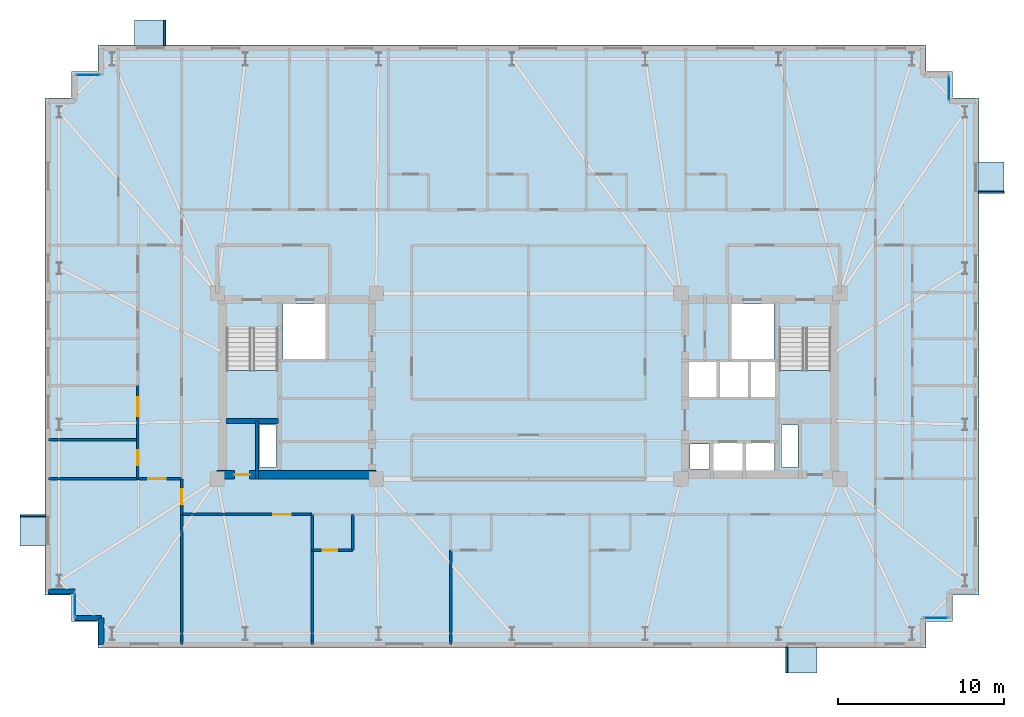
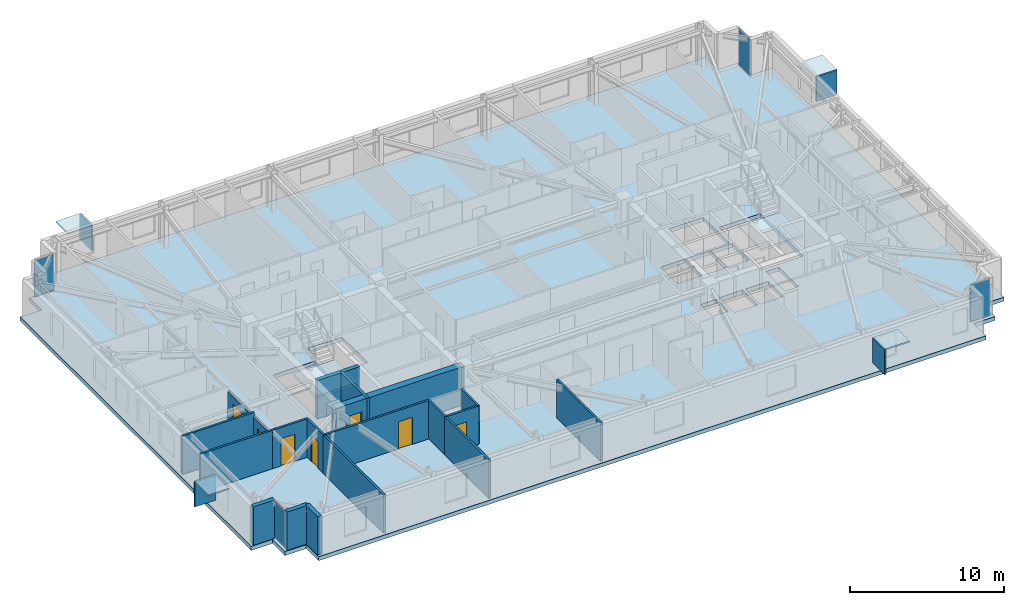
# One storey, part 10 of 18: 19 walls, 12 plates, 7 doors, 3 slabs, 7 openings, 6 elements without a shape of their own.
"""IFC4 building model written with IfcOpenShell, lengths in metres."""

from ifc_helpers import new_model, si_unit, direction, frame, frame_2d, origin, origin_2d, place, context, subcontext, project, spatial, polyline, rectangle, outline, extrude, material, layer, layer_set, type_object, element, fill, aggregate, save


model = new_model("IFC4")

# Units and contexts
model_context = context("Model", 3, precision=1e-05, world=origin(), true_north=direction((0.0, 1.0)))
body_context = subcontext(model_context, "Body", "Model", "MODEL_VIEW")
ifc_project = project(units=[si_unit("LENGTHUNIT", "METRE"), si_unit("AREAUNIT", "SQUARE_METRE"), si_unit("VOLUMEUNIT", "CUBIC_METRE"), si_unit("PLANEANGLEUNIT", "RADIAN"), si_unit("MASSUNIT", "GRAM", prefix="KILO")], contexts=[model_context])

# Site, building, storey
site_placement = place(None, origin())
site = spatial("IfcSite", under=ifc_project, at=site_placement, CompositionType="ELEMENT")
building_placement = place(site_placement, origin())
building = spatial("IfcBuilding", under=site, at=building_placement, Name="Qobustan Lattice House", CompositionType="ELEMENT")
storey_placement = place(building_placement, frame((0.0, 0.0, 141.050048828125)))
storey = spatial("IfcBuildingStorey", under=building, at=storey_placement, Name="L39", CompositionType="ELEMENT", Elevation=141.050048828125)

# Curtain wall, plate
ifc_material_1 = material(Name="Anodised aluminium and low-E glazing", Category="aluminium")
ifc_layer_1 = layer(ifc_material_1, 0.219970703125)
ifc_layer_set_1 = layer_set([ifc_layer_1], Name="Anodised aluminium and low-E glazing")
curtain_wall_type = type_object("IfcCurtainWallType", Name="CW-FAC-02", PredefinedType="USERDEFINED", material=ifc_layer_set_1)
curtain_wall_1_placement = place(storey_placement, origin())
curtain_wall_1 = element("IfcCurtainWall", 1, at=curtain_wall_1_placement, inside=storey, type_object=curtain_wall_type, Name="L39 serrated corner faceted glazing 3", ObjectType="CURTAIN WALL", PredefinedType="USERDEFINED")
ifc_material_2 = material(Name="Clear low-E laminated glass", Category="glass")
ifc_layer_2 = layer(ifc_material_2, 0.031982421875)
ifc_layer_set_2 = layer_set([ifc_layer_2], Name="Clear low-E laminated glass")
plate_type_1 = type_object("IfcPlateType", Name="CWP-VISION-32", PredefinedType="CURTAIN_PANEL", material=ifc_layer_set_2)
plate_1_placement = place(storey_placement, frame((-27.39990234375, -13.199951171875, 0.06494140625), z_axis=(0.0, 0.0, 1.0), x_axis=(0.0, 1.0, 0.0)))
plate_1 = element("IfcPlate", 2, at=plate_1_placement, type_object=plate_type_1, Name="CW-F2 panel 1.1", PredefinedType="CURTAIN_PANEL", context=body_context, shape_type="SweptSolid", body=[
    extrude(rectangle(XDim=1.4599609375, YDim=0.031982421875, at=origin_2d()), origin(), (0.0, 0.0, 1.0), 2.909912109375),
])
aggregate(curtain_wall_1, [plate_1])

curtain_wall_2_placement = place(storey_placement, origin())
curtain_wall_2 = element("IfcCurtainWall", 3, at=curtain_wall_2_placement, inside=storey, type_object=curtain_wall_type, Name="L39 serrated corner faceted glazing 8", ObjectType="CURTAIN WALL", PredefinedType="USERDEFINED")
plate_2_placement = place(storey_placement, frame((-26.60009765625, 18.800048828125, 0.06494140625), z_axis=(0.0, 0.0, 1.0), x_axis=(1.0, 0.0, 0.0)))
plate_2 = element("IfcPlate", 4, at=plate_2_placement, type_object=plate_type_1, Name="CW-F2 panel 1.1", PredefinedType="CURTAIN_PANEL", context=body_context, shape_type="SweptSolid", body=[
    extrude(rectangle(XDim=1.4599609375, YDim=0.031982421875, at=origin_2d()), origin(), (0.0, 0.0, 1.0), 2.909912109375),
])
aggregate(curtain_wall_2, [plate_2])

curtain_wall_3_placement = place(storey_placement, origin())
curtain_wall_3 = element("IfcCurtainWall", 5, at=curtain_wall_3_placement, inside=storey, type_object=curtain_wall_type, Name="L39 serrated corner faceted glazing 13", ObjectType="CURTAIN WALL", PredefinedType="USERDEFINED")
plate_3_placement = place(storey_placement, frame((25.39990234375, 18.0, 0.06494140625), z_axis=(0.0, 0.0, 1.0), x_axis=(0.0, -1.0, 0.0)))
plate_3 = element("IfcPlate", 6, at=plate_3_placement, type_object=plate_type_1, Name="CW-F2 panel 1.1", PredefinedType="CURTAIN_PANEL", context=body_context, shape_type="SweptSolid", body=[
    extrude(rectangle(XDim=1.4599609375, YDim=0.031982421875, at=origin_2d()), origin(), (0.0, 0.0, 1.0), 2.909912109375),
])
aggregate(curtain_wall_3, [plate_3])

curtain_wall_4_placement = place(storey_placement, origin())
curtain_wall_4 = element("IfcCurtainWall", 7, at=curtain_wall_4_placement, inside=storey, type_object=curtain_wall_type, Name="L39 serrated corner faceted glazing 18", ObjectType="CURTAIN WALL", PredefinedType="USERDEFINED")
plate_4_placement = place(storey_placement, frame((24.60009765625, -14.0, 0.06494140625), z_axis=(0.0, 0.0, 1.0), x_axis=(-1.0, 0.0, 0.0)))
plate_4 = element("IfcPlate", 8, at=plate_4_placement, type_object=plate_type_1, Name="CW-F2 panel 1.1", PredefinedType="CURTAIN_PANEL", context=body_context, shape_type="SweptSolid", body=[
    extrude(rectangle(XDim=1.4599609375, YDim=0.031982421875, at=origin_2d()), origin(), (0.0, 0.0, 1.0), 2.909912109375),
])
aggregate(curtain_wall_4, [plate_4])

# Plates
ifc_material_3 = material(Name="Qobustan limestone GFRC", Category="masonry")
ifc_layer_3 = layer(ifc_material_3, 0.1201171875)
ifc_layer_set_3 = layer_set([ifc_layer_3], Name="Qobustan limestone GFRC")
plate_type_2 = type_object("IfcPlateType", Name="SHD-HOOD-BROW", PredefinedType="USERDEFINED", material=ifc_layer_set_3)
plate_5_placement = place(storey_placement, frame((-29.929931640625, -8.719970703125, 2.699951171875), z_axis=(0.0, 0.0, 1.0), x_axis=(0.0, 1.0, 0.0)))
element("IfcPlate", 9, at=plate_5_placement, inside=storey, type_object=plate_type_2, Name="L39 splayed Qobustan stone hood brow", ObjectType="SUNSHADE", PredefinedType="USERDEFINED", context=body_context, shape_type="SweptSolid", body=[
    extrude(rectangle(XDim=1.889892578125, YDim=1.56005859375, at=origin_2d()), origin(), (0.0, 0.0, 1.0), 0.1201171875),
])
plate_6_placement = place(storey_placement, frame((-29.929931640625, -7.8349609375, 0.7900390625), z_axis=(0.0, 0.0, 1.0), x_axis=(0.0, 1.0, 0.0)))
element("IfcPlate", 10, at=plate_6_placement, inside=storey, type_object=plate_type_2, Name="L39 splayed Qobustan stone hood cheek", ObjectType="SUNSHADE", PredefinedType="USERDEFINED", context=body_context, shape_type="SweptSolid", body=[
    extrude(rectangle(XDim=0.1201171875, YDim=1.56005859375, at=origin_2d()), origin(), (0.0, 0.0, 1.0), 1.969970703125),
])
plate_7_placement = place(storey_placement, frame((-22.840087890625, 21.330078125, 2.699951171875), z_axis=(0.0, 0.0, 1.0), x_axis=(1.0, 0.0, 0.0)))
element("IfcPlate", 11, at=plate_7_placement, inside=storey, type_object=plate_type_2, Name="L39 splayed Qobustan stone hood brow", ObjectType="SUNSHADE", PredefinedType="USERDEFINED", context=body_context, shape_type="SweptSolid", body=[
    extrude(rectangle(XDim=1.889892578125, YDim=1.56005859375, at=origin_2d()), origin(), (0.0, 0.0, 1.0), 0.1201171875),
])
plate_8_placement = place(storey_placement, frame((-21.955078125, 21.330078125, 0.7900390625), z_axis=(0.0, 0.0, 1.0), x_axis=(1.0, 0.0, 0.0)))
element("IfcPlate", 12, at=plate_8_placement, inside=storey, type_object=plate_type_2, Name="L39 splayed Qobustan stone hood cheek", ObjectType="SUNSHADE", PredefinedType="USERDEFINED", context=body_context, shape_type="SweptSolid", body=[
    extrude(rectangle(XDim=0.1201171875, YDim=1.56005859375, at=origin_2d()), origin(), (0.0, 0.0, 1.0), 1.969970703125),
])
plate_9_placement = place(storey_placement, frame((27.929931640625, 12.60009765625, 2.699951171875), z_axis=(0.0, 0.0, 1.0), x_axis=(0.0, -1.0, 0.0)))
element("IfcPlate", 13, at=plate_9_placement, inside=storey, type_object=plate_type_2, Name="L39 splayed Qobustan stone hood brow", ObjectType="SUNSHADE", PredefinedType="USERDEFINED", context=body_context, shape_type="SweptSolid", body=[
    extrude(rectangle(XDim=1.889892578125, YDim=1.56005859375, at=origin_2d()), origin(), (0.0, 0.0, 1.0), 0.1201171875),
])
plate_10_placement = place(storey_placement, frame((27.929931640625, 11.715087890625, 0.7900390625), z_axis=(0.0, 0.0, 1.0), x_axis=(0.0, -1.0, 0.0)))
element("IfcPlate", 14, at=plate_10_placement, inside=storey, type_object=plate_type_2, Name="L39 splayed Qobustan stone hood cheek", ObjectType="SUNSHADE", PredefinedType="USERDEFINED", context=body_context, shape_type="SweptSolid", body=[
    extrude(rectangle(XDim=0.1201171875, YDim=1.56005859375, at=origin_2d()), origin(), (0.0, 0.0, 1.0), 1.969970703125),
])
plate_11_placement = place(storey_placement, frame((16.47998046875, -16.530029296875, 2.699951171875), z_axis=(0.0, 0.0, 1.0), x_axis=(-1.0, 0.0, 0.0)))
element("IfcPlate", 15, at=plate_11_placement, inside=storey, type_object=plate_type_2, Name="L39 splayed Qobustan stone hood brow", ObjectType="SUNSHADE", PredefinedType="USERDEFINED", context=body_context, shape_type="SweptSolid", body=[
    extrude(rectangle(XDim=1.889892578125, YDim=1.56005859375, at=origin_2d()), origin(), (0.0, 0.0, 1.0), 0.1201171875),
])
plate_12_placement = place(storey_placement, frame((15.594970703125, -16.530029296875, 0.7900390625), z_axis=(0.0, 0.0, 1.0), x_axis=(-1.0, 0.0, 0.0)))
element("IfcPlate", 16, at=plate_12_placement, inside=storey, type_object=plate_type_2, Name="L39 splayed Qobustan stone hood cheek", ObjectType="SUNSHADE", PredefinedType="USERDEFINED", context=body_context, shape_type="SweptSolid", body=[
    extrude(rectangle(XDim=0.1201171875, YDim=1.56005859375, at=origin_2d()), origin(), (0.0, 0.0, 1.0), 1.969970703125),
])

# Slab
ifc_material_4 = material(Name="Concrete C40/50", Category="concrete")
ifc_layer_4 = layer(ifc_material_4, 0.31005859375)
ifc_layer_set_4 = layer_set([ifc_layer_4], Name="Concrete C40/50")
slab_type_1 = type_object("IfcSlabType", Name="SLB-FLR-310", PredefinedType="FLOOR", material=ifc_layer_set_4)
slab_1_placement = place(storey_placement, frame((0.0, 0.0, -0.31005859375)))
element("IfcSlab", 17, at=slab_1_placement, inside=storey, type_object=slab_type_1, Name="L39 structural floor slab", PredefinedType="FLOOR", context=body_context, shape_type="SweptSolid", body=[
    extrude(outline(polyline([(-26.0, -15.800048828125), (24.0, -15.800048828125), (24.0, -14.199951171875), (25.60009765625, -14.199951171875), (25.60009765625, -12.60009765625), (27.199951171875, -12.60009765625), (27.199951171875, 17.39990234375), (25.60009765625, 17.39990234375), (25.60009765625, 19.0), (24.0, 19.0), (24.0, 20.60009765625), (-26.0, 20.60009765625), (-26.0, 19.0), (-27.60009765625, 19.0), (-27.60009765625, 17.39990234375), (-29.199951171875, 17.39990234375), (-29.199951171875, -12.60009765625), (-27.60009765625, -12.60009765625), (-27.60009765625, -14.199951171875), (-26.0, -14.199951171875), (-26.0, -15.800048828125)]), holes=[polyline([(-18.25, -2.050048828125), (-18.25, 3.489990234375), (-15.1298828125, 3.489990234375), (-15.1298828125, -2.050048828125), (-18.25, -2.050048828125)]), polyline([(15.1298828125, -2.050048828125), (15.1298828125, 3.489990234375), (18.25, 3.489990234375), (18.25, -2.050048828125), (15.1298828125, -2.050048828125)]), polyline([(-14.820068359375, 1.64990234375), (-14.820068359375, 4.9599609375), (-12.25, 4.9599609375), (-12.25, 1.64990234375), (-14.820068359375, 1.64990234375)]), polyline([(12.25, 1.64990234375), (12.25, 4.9599609375), (14.820068359375, 4.9599609375), (14.820068359375, 1.64990234375), (12.25, 1.64990234375)]), polyline([(-16.260009765625, -4.8798828125), (-16.260009765625, -2.360107421875), (-15.260009765625, -2.360107421875), (-15.260009765625, -4.8798828125), (-16.260009765625, -4.8798828125)]), polyline([(15.260009765625, -4.8798828125), (15.260009765625, -2.360107421875), (16.260009765625, -2.360107421875), (16.260009765625, -4.8798828125), (15.260009765625, -4.8798828125)]), polyline([(11.179931640625, -5.35009765625), (11.179931640625, -3.419921875), (12.919921875, -3.419921875), (12.919921875, -5.35009765625), (11.179931640625, -5.35009765625)]), polyline([(13.1201171875, -5.35009765625), (13.1201171875, -3.419921875), (14.85009765625, -3.419921875), (14.85009765625, -5.35009765625), (13.1201171875, -5.35009765625)]), polyline([(9.760009765625, -5.0), (9.760009765625, -3.47998046875), (10.93994140625, -3.47998046875), (10.93994140625, -5.0), (9.760009765625, -5.0)]), polyline([(13.360107421875, -0.679931640625), (13.360107421875, 1.47998046875), (14.97998046875, 1.47998046875), (14.97998046875, -0.679931640625), (13.360107421875, -0.679931640625)]), polyline([(9.6201171875, -0.679931640625), (9.6201171875, 1.47998046875), (11.43994140625, 1.47998046875), (11.43994140625, -0.679931640625), (9.6201171875, -0.679931640625)]), polyline([(11.5, -0.679931640625), (11.5, 1.47998046875), (13.320068359375, 1.47998046875), (13.320068359375, -0.679931640625), (11.5, -0.679931640625)])]), origin(), (0.0, 0.0, 1.0), 0.31005859375),
])

# Stair, slab
ifc_material_5 = material(Name="Concrete C40/50", Category="concrete")
stair_type = type_object("IfcStairType", Name="STR-CORE-DOGLEG", PredefinedType="HALF_TURN_STAIR", material=ifc_material_5)
stair_1_placement = place(storey_placement, origin())
stair_1 = element("IfcStair", 18, at=stair_1_placement, inside=storey, type_object=stair_type, Name="L39 West protected exit stair ST-W1", PredefinedType="HALF_TURN_STAIR")
ifc_material_6 = material(Name="Concrete C40/50", Category="concrete")
ifc_layer_5 = layer(ifc_material_6, 0.199951171875)
ifc_layer_set_5 = layer_set([ifc_layer_5], Name="Concrete C40/50")
slab_type_2 = type_object("IfcSlabType", Name="SLB-LANDING-200", PredefinedType="LANDING", material=ifc_layer_set_5)
slab_2_placement = place(storey_placement, frame((0.0, 0.0, 1.474853515625)))
slab_2 = element("IfcSlab", 19, at=slab_2_placement, type_object=slab_type_2, Name="ST-W1 landing 1", PredefinedType="LANDING", context=body_context, shape_type="SweptSolid", body=[
    extrude(outline(polyline([(-18.25, 0.93505859375), (-18.25, -2.050048828125), (-15.1298828125, -2.050048828125), (-15.1298828125, 0.93505859375), (-18.25, 0.93505859375)])), origin(), (0.0, 0.0, 1.0), 0.2001953125),
])
aggregate(stair_1, [slab_2])

stair_2_placement = place(storey_placement, origin())
stair_2 = element("IfcStair", 20, at=stair_2_placement, inside=storey, type_object=stair_type, Name="L39 East protected exit stair ST-E1", PredefinedType="HALF_TURN_STAIR")
slab_3_placement = place(storey_placement, frame((0.0, 0.0, 1.474853515625)))
slab_3 = element("IfcSlab", 21, at=slab_3_placement, type_object=slab_type_2, Name="ST-E1 landing 1", PredefinedType="LANDING", context=body_context, shape_type="SweptSolid", body=[
    extrude(outline(polyline([(15.1298828125, 0.93505859375), (15.1298828125, -2.050048828125), (18.25, -2.050048828125), (18.25, 0.93505859375), (15.1298828125, 0.93505859375)])), origin(), (0.0, 0.0, 1.0), 0.2001953125),
])
aggregate(stair_2, [slab_3])

# Wall, opening, door
ifc_material_7 = material(Name="Concrete C50/60", Category="concrete")
ifc_layer_6 = layer(ifc_material_7, 0.5)
ifc_layer_set_6 = layer_set([ifc_layer_6], Name="Concrete C50/60")
wall_type_1 = type_object("IfcWallType", Name="WAL-CORE-500", PredefinedType="SHEAR", material=ifc_layer_set_6)
wall_1_placement = place(storey_placement, frame((-18.800048828125, -5.35009765625, 0.0), z_axis=(0.0, 0.0, 1.0), x_axis=(1.0, 0.0, 0.0)))
wall_1 = element("IfcWall", 22, at=wall_1_placement, inside=storey, type_object=wall_type_1, Name="L39 split-core shear wall CW-S", PredefinedType="SHEAR", context=body_context, shape_type="SweptSolid", body=[
    extrude(rectangle(XDim=9.60009765625, YDim=0.5, at=frame_2d((4.800048828125, 0.0))), origin(), (0.0, 0.0, 1.0), 3.0400390625),
])
opening_1_placement = place(wall_1_placement, frame((1.050048828125, 0.0, 0.0)))
opening_1 = element("IfcOpeningElement", 23, at=opening_1_placement, cuts=wall_1, Name="Opening RD-01", PredefinedType="OPENING", context=body_context, shape_type="SweptSolid", body=[
    extrude(rectangle(XDim=0.89990234375, YDim=2.10009765625, at=frame_2d((0.449951171875, 1.050048828125))), frame((0.0, 0.260009765625, 0.0), z_axis=(0.0, -1.0, 0.0), x_axis=(1.0, 0.0, 0.0)), (0.0, 0.0, 1.0), 0.52001953125),
])
ifc_material_8 = material(Name="Persian walnut timber and steel frame door", Category="steel")
door_type_1 = type_object("IfcDoorType", Name="DOR-RISER-FD-900x2100", OperationType="NOTDEFINED", PredefinedType="DOOR", material=ifc_material_8)
door_1_placement = place(opening_1_placement, origin())
door_1 = element("IfcDoor", 24, at=door_1_placement, inside=storey, type_object=door_type_1, Name="L39 core service riser access door W", OperationType="SINGLE_SWING_RIGHT", OverallHeight=2.10009765625, OverallWidth=0.89990234375, PredefinedType="DOOR", context=body_context, shape_type="SweptSolid", body=[
    extrude(rectangle(XDim=0.89990234375, YDim=2.10009765625, at=frame_2d((0.449951171875, 1.050048828125))), frame((0.0, 0.02490234375, 0.0), z_axis=(0.0, -1.0, 0.0), x_axis=(1.0, 0.0, 0.0)), (0.0, 0.0, 1.0), 0.050048828125),
])
fill(opening_1, door_1)

# Walls
ifc_material_9 = material(Name="Concrete C50/60", Category="concrete")
ifc_layer_7 = layer(ifc_material_9, 0.280029296875)
ifc_layer_set_7 = layer_set([ifc_layer_7], Name="Concrete C50/60")
wall_type_2 = type_object("IfcWallType", Name="WAL-CORE-SPINE-280", PredefinedType="SHEAR", material=ifc_layer_set_7)
wall_2_placement = place(storey_placement, frame((-18.280029296875, -2.110107421875, 0.0), z_axis=(0.0, 0.0, 1.0), x_axis=(1.0, 0.0, 0.0)))
element("IfcWall", 25, at=wall_2_placement, inside=storey, type_object=wall_type_2, Name="L39 split-core shear wall CW-ST", PredefinedType="SHEAR", context=body_context, shape_type="SweptSolid", body=[
    extrude(rectangle(XDim=3.179931640625, YDim=0.300048828125, at=frame_2d((1.58984375, 0.0))), origin(), (0.0, 0.0, 1.0), 3.0400390625),
])
ifc_material_10 = material(Name="Precast concrete C40/50", Category="concrete")
ifc_layer_8 = layer(ifc_material_10, 0.320068359375)
ifc_layer_set_8 = layer_set([ifc_layer_8], Name="Precast concrete C40/50")
wall_type_3 = type_object("IfcWallType", Name="WAL-EXT-STONE-320", PredefinedType="SOLIDWALL", material=ifc_layer_set_8)
wall_3_placement = place(storey_placement, frame((-25.800048828125, -15.60009765625, 0.0), z_axis=(0.0, 0.0, 1.0), x_axis=(0.0, 1.0, 0.0)))
element("IfcWall", 26, at=wall_3_placement, inside=storey, type_object=wall_type_3, Name="L39 exterior limestone-clad wall 1", PredefinedType="SOLIDWALL", context=body_context, shape_type="SweptSolid", body=[
    extrude(rectangle(XDim=1.60009765625, YDim=0.320068359375, at=frame_2d((0.800048828125, 0.0))), origin(), (0.0, 0.0, 1.0), 3.0400390625),
])
wall_4_placement = place(storey_placement, frame((-25.800048828125, -14.0, 0.0), z_axis=(0.0, 0.0, 1.0), x_axis=(-1.0, 0.0, 0.0)))
element("IfcWall", 27, at=wall_4_placement, inside=storey, type_object=wall_type_3, Name="L39 exterior limestone-clad wall 2", PredefinedType="SOLIDWALL", context=body_context, shape_type="SweptSolid", body=[
    extrude(rectangle(XDim=1.599853515625, YDim=0.320068359375, at=frame_2d((0.7998046875, 0.0))), origin(), (0.0, 0.0, 1.0), 3.0400390625),
])
wall_5_placement = place(storey_placement, frame((-27.39990234375, -12.39990234375, 0.0), z_axis=(0.0, 0.0, 1.0), x_axis=(-1.0, 0.0, 0.0)))
element("IfcWall", 28, at=wall_5_placement, inside=storey, type_object=wall_type_3, Name="L39 exterior limestone-clad wall 4", PredefinedType="SOLIDWALL", context=body_context, shape_type="SweptSolid", body=[
    extrude(rectangle(XDim=1.60009765625, YDim=0.320068359375, at=frame_2d((0.800048828125, 0.0))), origin(), (0.0, 0.0, 1.0), 3.0400390625),
])

# Wall, opening, door
ifc_material_11 = material(Name="Acoustic twin-stud gypsum partition", Category="gypsum")
ifc_layer_9 = layer(ifc_material_11, 0.14990234375)
ifc_layer_set_9 = layer_set([ifc_layer_9], Name="Acoustic twin-stud gypsum partition")
wall_type_4 = type_object("IfcWallType", Name="WAL-PART-150", PredefinedType="PARTITIONING", material=ifc_layer_set_9)
wall_6_placement = place(storey_placement, frame((-20.949951171875, -7.75, 0.0), z_axis=(0.0, 0.0, 1.0), x_axis=(0.0, 1.0, 0.0)))
wall_6 = element("IfcWall", 29, at=wall_6_placement, inside=storey, type_object=wall_type_4, Name="L39 interior partition 47", PredefinedType="PARTITIONING", context=body_context, shape_type="SweptSolid", body=[
    extrude(rectangle(XDim=2.14990234375, YDim=0.14990234375, at=frame_2d((1.074951171875, 0.0))), origin(), (0.0, 0.0, 1.0), 3.0400390625),
])
opening_2_placement = place(wall_6_placement, frame((0.625, 0.0, 0.0)))
opening_2 = element("IfcOpeningElement", 30, at=opening_2_placement, cuts=wall_6, Name="Opening WD-01", PredefinedType="OPENING", context=body_context, shape_type="SweptSolid", body=[
    extrude(rectangle(XDim=0.89990234375, YDim=2.10009765625, at=frame_2d((0.449951171875, 1.050048828125))), frame((0.0, 0.0849609375, 0.0), z_axis=(0.0, -1.0, 0.0), x_axis=(1.0, 0.0, 0.0)), (0.0, 0.0, 1.0), 0.169921875),
])
ifc_material_12 = material(Name="Persian walnut timber and steel frame door", Category="steel")
door_type_2 = type_object("IfcDoorType", Name="DOR-WET-900x2100", OperationType="NOTDEFINED", PredefinedType="DOOR", material=ifc_material_12)
door_2_placement = place(opening_2_placement, origin())
door_2 = element("IfcDoor", 31, at=door_2_placement, inside=storey, type_object=door_type_2, Name="L39 South-west floor corridor to Reading study room L39WS door", OperationType="SINGLE_SWING_LEFT", OverallHeight=2.10009765625, OverallWidth=0.89990234375, PredefinedType="DOOR", context=body_context, shape_type="SweptSolid", body=[
    extrude(rectangle(XDim=0.89990234375, YDim=2.10009765625, at=frame_2d((0.449951171875, 1.050048828125))), frame((0.0, 0.02490234375, 0.0), z_axis=(0.0, -1.0, 0.0), x_axis=(1.0, 0.0, 0.0)), (0.0, 0.0, 1.0), 0.050048828125),
])
fill(opening_2, door_2)

wall_7_placement = place(storey_placement, frame((-13.070068359375, -7.75, 0.0), z_axis=(0.0, 0.0, 1.0), x_axis=(-1.0, 0.0, 0.0)))
wall_7 = element("IfcWall", 32, at=wall_7_placement, inside=storey, type_object=wall_type_4, Name="L39 interior partition 48", PredefinedType="PARTITIONING", context=body_context, shape_type="SweptSolid", body=[
    extrude(rectangle(XDim=7.8798828125, YDim=0.14990234375, at=frame_2d((3.93994140625, 0.0))), origin(), (0.0, 0.0, 1.0), 3.0400390625),
])
opening_3_placement = place(wall_7_placement, frame((1.288818359375, 0.0, 0.0)))
opening_3 = element("IfcOpeningElement", 33, at=opening_3_placement, cuts=wall_7, Name="Opening ID-02", PredefinedType="OPENING", context=body_context, shape_type="SweptSolid", body=[
    extrude(rectangle(XDim=1.050048828125, YDim=2.14990234375, at=frame_2d((0.52490234375, 1.074951171875))), frame((0.0, 0.0849609375, 0.0), z_axis=(0.0, -1.0, 0.0), x_axis=(1.0, 0.0, 0.0)), (0.0, 0.0, 1.0), 0.169921875),
])
ifc_material_13 = material(Name="Persian walnut timber and steel frame door", Category="steel")
door_type_3 = type_object("IfcDoorType", Name="DOR-STUDY-1050x2150", OperationType="NOTDEFINED", PredefinedType="DOOR", material=ifc_material_13)
door_3_placement = place(opening_3_placement, origin())
door_3 = element("IfcDoor", 34, at=door_3_placement, inside=storey, type_object=door_type_3, Name="L39 South-west floor corridor to Focus study room S1 door", OperationType="SINGLE_SWING_RIGHT", OverallHeight=2.14990234375, OverallWidth=1.050048828125, PredefinedType="DOOR", context=body_context, shape_type="SweptSolid", body=[
    extrude(rectangle(XDim=1.050048828125, YDim=2.14990234375, at=frame_2d((0.52490234375, 1.074951171875))), frame((0.0, 0.02490234375, 0.0), z_axis=(0.0, -1.0, 0.0), x_axis=(1.0, 0.0, 0.0)), (0.0, 0.0, 1.0), 0.050048828125),
])
fill(opening_3, door_3)

wall_8_placement = place(storey_placement, frame((-20.949951171875, -5.60009765625, 0.0), z_axis=(0.0, 0.0, 1.0), x_axis=(-1.0, 0.0, 0.0)))
wall_8 = element("IfcWall", 35, at=wall_8_placement, inside=storey, type_object=wall_type_4, Name="L39 interior partition 70", PredefinedType="PARTITIONING", context=body_context, shape_type="SweptSolid", body=[
    extrude(rectangle(XDim=2.650146484375, YDim=0.14990234375, at=frame_2d((1.3251953125, 0.0))), origin(), (0.0, 0.0, 1.0), 3.0400390625),
])
opening_4_placement = place(wall_8_placement, frame((0.965087890625, 0.0, 0.0)))
opening_4 = element("IfcOpeningElement", 36, at=opening_4_placement, cuts=wall_8, Name="Opening ID-02", PredefinedType="OPENING", context=body_context, shape_type="SweptSolid", body=[
    extrude(rectangle(XDim=1.050048828125, YDim=2.14990234375, at=frame_2d((0.52490234375, 1.074951171875))), frame((0.0, 0.0849609375, 0.0), z_axis=(0.0, -1.0, 0.0), x_axis=(1.0, 0.0, 0.0)), (0.0, 0.0, 1.0), 0.169921875),
])
door_4_placement = place(opening_4_placement, origin())
door_4 = element("IfcDoor", 37, at=door_4_placement, inside=storey, type_object=door_type_3, Name="L39 Residence entrance hall L39W to Reading study room L39WS door", OperationType="SINGLE_SWING_RIGHT", OverallHeight=2.14990234375, OverallWidth=1.050048828125, PredefinedType="DOOR", context=body_context, shape_type="SweptSolid", body=[
    extrude(rectangle(XDim=1.050048828125, YDim=2.14990234375, at=frame_2d((0.52490234375, 1.074951171875))), frame((0.0, 0.02490234375, 0.0), z_axis=(0.0, -1.0, 0.0), x_axis=(1.0, 0.0, 0.0)), (0.0, 0.0, 1.0), 0.050048828125),
])
fill(opening_4, door_4)

# Walls
wall_9_placement = place(storey_placement, frame((-20.949951171875, -7.75, 0.0), z_axis=(0.0, 0.0, 1.0), x_axis=(0.0, -1.0, 0.0)))
element("IfcWall", 38, at=wall_9_placement, inside=storey, type_object=wall_type_4, Name="L39 interior partition 81", PredefinedType="PARTITIONING", context=body_context, shape_type="SweptSolid", body=[
    extrude(rectangle(XDim=7.85009765625, YDim=0.14990234375, at=frame_2d((3.925048828125, 0.0))), origin(), (0.0, 0.0, 1.0), 3.0400390625),
])
for number, where, z_axis, x_axis, name in (
    (39, (-13.070068359375, -9.89990234375, 0.0), (0.0, 0.0, 1.0), (0.0, -1.0, 0.0), "L39 interior partition 120"),
    (40, (-4.68994140625, -9.89990234375, 0.0), (0.0, 0.0, 1.0), (0.0, -1.0, 0.0), "L39 interior partition 124"),
):
    element("IfcWall", number, at=place(storey_placement, frame(where, z_axis=z_axis, x_axis=x_axis)), inside=storey, type_object=wall_type_4, Name=name, PredefinedType="PARTITIONING", context=body_context, shape_type="SweptSolid", body=[
        extrude(rectangle(XDim=5.7001953125, YDim=0.14990234375, at=frame_2d((2.85009765625, 0.0))), origin(), (0.0, 0.0, 1.0), 3.0400390625),
    ])

# Wall, opening, door
ifc_material_14 = material(Name="High-mass acoustic twin-stud partition", Category="gypsum")
ifc_layer_10 = layer(ifc_material_14, 0.1650390625)
ifc_layer_set_10 = layer_set([ifc_layer_10], Name="High-mass acoustic twin-stud partition")
wall_type_5 = type_object("IfcWallType", Name="WAL-PART-165", PredefinedType="PARTITIONING", material=ifc_layer_set_10)
wall_10_placement = place(storey_placement, frame((-23.60009765625, -3.25, 0.0), z_axis=(0.0, 0.0, 1.0), x_axis=(0.0, 1.0, 0.0)))
wall_10 = element("IfcWall", 41, at=wall_10_placement, inside=storey, type_object=wall_type_5, Name="L39 interior partition 72", PredefinedType="PARTITIONING", context=body_context, shape_type="SweptSolid", body=[
    extrude(rectangle(XDim=3.2900390625, YDim=0.1650390625, at=frame_2d((1.64501953125, 0.0))), origin(), (0.0, 0.0, 1.0), 2.695068359375),
])
opening_5_placement = place(wall_10_placement, frame((1.4375, 0.0, 0.0)))
opening_5 = element("IfcOpeningElement", 42, at=opening_5_placement, cuts=wall_10, Name="Opening ID-03", PredefinedType="OPENING", context=body_context, shape_type="SweptSolid", body=[
    extrude(rectangle(XDim=1.14990234375, YDim=2.14990234375, at=frame_2d((0.574951171875, 1.074951171875))), frame((0.0, 0.092529296875, 0.0), z_axis=(0.0, -1.0, 0.0), x_axis=(1.0, 0.0, 0.0)), (0.0, 0.0, 1.0), 0.18505859375),
])
ifc_material_15 = material(Name="Persian walnut timber and steel frame door", Category="steel")
door_type_4 = type_object("IfcDoorType", Name="DOR-KITCH-1150x2150", OperationType="NOTDEFINED", PredefinedType="DOOR", material=ifc_material_15)
door_5_placement = place(opening_5_placement, origin())
door_5 = element("IfcDoor", 43, at=door_5_placement, inside=storey, type_object=door_type_4, Name="L39 Residence entrance hall L39W to Shared kitchen L39W door", OperationType="SINGLE_SWING_RIGHT", OverallHeight=2.14990234375, OverallWidth=1.14990234375, PredefinedType="DOOR", context=body_context, shape_type="SweptSolid", body=[
    extrude(rectangle(XDim=1.14990234375, YDim=2.14990234375, at=frame_2d((0.574951171875, 1.074951171875))), frame((0.0, 0.02490234375, 0.0), z_axis=(0.0, -1.0, 0.0), x_axis=(1.0, 0.0, 0.0)), (0.0, 0.0, 1.0), 0.050048828125),
])
fill(opening_5, door_5)

# Wall
ifc_material_16 = material(Name="Concrete C40/50", Category="concrete")
ifc_layer_11 = layer(ifc_material_16, 0.199951171875)
ifc_layer_set_11 = layer_set([ifc_layer_11], Name="Concrete C40/50")
wall_type_6 = type_object("IfcWallType", Name="WAL-SHAFT-200", PredefinedType="PARTITIONING", material=ifc_layer_set_11)
wall_11_placement = place(storey_placement, frame((-16.39990234375, -5.60009765625, 0.0), z_axis=(0.0, 0.0, 1.0), x_axis=(0.0, 1.0, 0.0)))
element("IfcWall", 44, at=wall_11_placement, inside=storey, type_object=wall_type_6, Name="L39 interior partition 1", PredefinedType="PARTITIONING", context=body_context, shape_type="SweptSolid", body=[
    extrude(rectangle(XDim=3.489990234375, YDim=0.199951171875, at=frame_2d((1.7451171875, 0.0))), origin(), (0.0, 0.0, 1.0), 3.0400390625),
])

# Wall, opening, door
ifc_material_17 = material(Name="Moisture-resistant acoustic plumbing wall", Category="gypsum")
ifc_layer_12 = layer(ifc_material_17, 0.14990234375)
ifc_layer_set_12 = layer_set([ifc_layer_12], Name="Moisture-resistant acoustic plumbing wall")
wall_type_7 = type_object("IfcWallType", Name="WAL-WET-150", PredefinedType="PLUMBINGWALL", material=ifc_layer_set_12)
wall_12_placement = place(storey_placement, frame((-23.60009765625, -5.60009765625, 0.0), z_axis=(0.0, 0.0, 1.0), x_axis=(0.0, 1.0, 0.0)))
wall_12 = element("IfcWall", 45, at=wall_12_placement, inside=storey, type_object=wall_type_7, Name="L39 interior partition 71", PredefinedType="PLUMBINGWALL", context=body_context, shape_type="SweptSolid", body=[
    extrude(rectangle(XDim=2.35009765625, YDim=0.14990234375, at=frame_2d((1.175048828125, 0.0))), origin(), (0.0, 0.0, 1.0), 2.695068359375),
])
opening_6_placement = place(wall_12_placement, frame((0.833740234375, 0.0, 0.0)))
opening_6 = element("IfcOpeningElement", 46, at=opening_6_placement, cuts=wall_12, Name="Opening WD-01", PredefinedType="OPENING", context=body_context, shape_type="SweptSolid", body=[
    extrude(rectangle(XDim=0.89990234375, YDim=2.10009765625, at=frame_2d((0.449951171875, 1.050048828125))), frame((0.0, 0.0849609375, 0.0), z_axis=(0.0, -1.0, 0.0), x_axis=(1.0, 0.0, 0.0)), (0.0, 0.0, 1.0), 0.169921875),
])
door_6_placement = place(opening_6_placement, origin())
door_6 = element("IfcDoor", 47, at=door_6_placement, inside=storey, type_object=door_type_2, Name="L39 Residence entrance hall L39W to Shared bathroom L39W door", OperationType="SINGLE_SWING_LEFT", OverallHeight=2.10009765625, OverallWidth=0.89990234375, PredefinedType="DOOR", context=body_context, shape_type="SweptSolid", body=[
    extrude(rectangle(XDim=0.89990234375, YDim=2.10009765625, at=frame_2d((0.449951171875, 1.050048828125))), frame((0.0, 0.02490234375, 0.0), z_axis=(0.0, -1.0, 0.0), x_axis=(1.0, 0.0, 0.0)), (0.0, 0.0, 1.0), 0.050048828125),
])
fill(opening_6, door_6)

# Walls
for number, where, z_axis, x_axis, name in (
    (48, (-29.0, -5.60009765625, 0.0), (0.0, 0.0, 1.0), (1.0, 0.0, 0.0), "L39 interior partition 80"),
    (49, (-29.0, -3.25, 0.0), (0.0, 0.0, 1.0), (1.0, 0.0, 0.0), "L39 interior partition 82"),
):
    element("IfcWall", number, at=place(storey_placement, frame(where, z_axis=z_axis, x_axis=x_axis)), inside=storey, type_object=wall_type_7, Name=name, PredefinedType="PLUMBINGWALL", context=body_context, shape_type="SweptSolid", body=[
        extrude(rectangle(XDim=5.39990234375, YDim=0.14990234375, at=frame_2d((2.699951171875, 0.0))), origin(), (0.0, 0.0, 1.0), 3.0400390625),
    ])
wall_13_placement = place(storey_placement, frame((-13.070068359375, -7.75, 0.0), z_axis=(0.0, 0.0, 1.0), x_axis=(0.0, -1.0, 0.0)))
element("IfcWall", 50, at=wall_13_placement, inside=storey, type_object=wall_type_7, Name="L39 interior partition 121", PredefinedType="PLUMBINGWALL", context=body_context, shape_type="SweptSolid", body=[
    extrude(rectangle(XDim=2.14990234375, YDim=0.14990234375, at=frame_2d((1.074951171875, 0.0))), origin(), (0.0, 0.0, 1.0), 3.0400390625),
])

# Wall, opening, door
wall_14_placement = place(storey_placement, frame((-13.070068359375, -9.89990234375, 0.0), z_axis=(0.0, 0.0, 1.0), x_axis=(1.0, 0.0, 0.0)))
wall_14 = element("IfcWall", 51, at=wall_14_placement, inside=storey, type_object=wall_type_7, Name="L39 interior partition 122", PredefinedType="PLUMBINGWALL", context=body_context, shape_type="SweptSolid", body=[
    extrude(rectangle(XDim=2.449951171875, YDim=0.14990234375, at=frame_2d((1.22509765625, 0.0))), origin(), (0.0, 0.0, 1.0), 3.0400390625),
])
opening_7_placement = place(wall_14_placement, frame((0.62890625, 0.0, 0.0)))
opening_7 = element("IfcOpeningElement", 52, at=opening_7_placement, cuts=wall_14, Name="Opening WD-01", PredefinedType="OPENING", context=body_context, shape_type="SweptSolid", body=[
    extrude(rectangle(XDim=0.89990234375, YDim=2.10009765625, at=frame_2d((0.449951171875, 1.050048828125))), frame((0.0, 0.0849609375, 0.0), z_axis=(0.0, -1.0, 0.0), x_axis=(1.0, 0.0, 0.0)), (0.0, 0.0, 1.0), 0.169921875),
])
door_7_placement = place(opening_7_placement, origin())
door_7 = element("IfcDoor", 53, at=door_7_placement, inside=storey, type_object=door_type_2, Name="L39 Kitchenette and studio apartment L39-S2 to En-suite bathroom L39-S2 door", OperationType="SINGLE_SWING_RIGHT", OverallHeight=2.10009765625, OverallWidth=0.89990234375, PredefinedType="DOOR", context=body_context, shape_type="SweptSolid", body=[
    extrude(rectangle(XDim=0.89990234375, YDim=2.10009765625, at=frame_2d((0.449951171875, 1.050048828125))), frame((0.0, 0.02490234375, 0.0), z_axis=(0.0, -1.0, 0.0), x_axis=(1.0, 0.0, 0.0)), (0.0, 0.0, 1.0), 0.050048828125),
])
fill(opening_7, door_7)

# Wall
wall_15_placement = place(storey_placement, frame((-10.6201171875, -9.89990234375, 0.0), z_axis=(0.0, 0.0, 1.0), x_axis=(0.0, 1.0, 0.0)))
element("IfcWall", 54, at=wall_15_placement, inside=storey, type_object=wall_type_7, Name="L39 interior partition 123", PredefinedType="PLUMBINGWALL", context=body_context, shape_type="SweptSolid", body=[
    extrude(rectangle(XDim=2.14990234375, YDim=0.14990234375, at=frame_2d((1.074951171875, 0.0))), origin(), (0.0, 0.0, 1.0), 3.0400390625),
])

save(model, "model.ifc")
